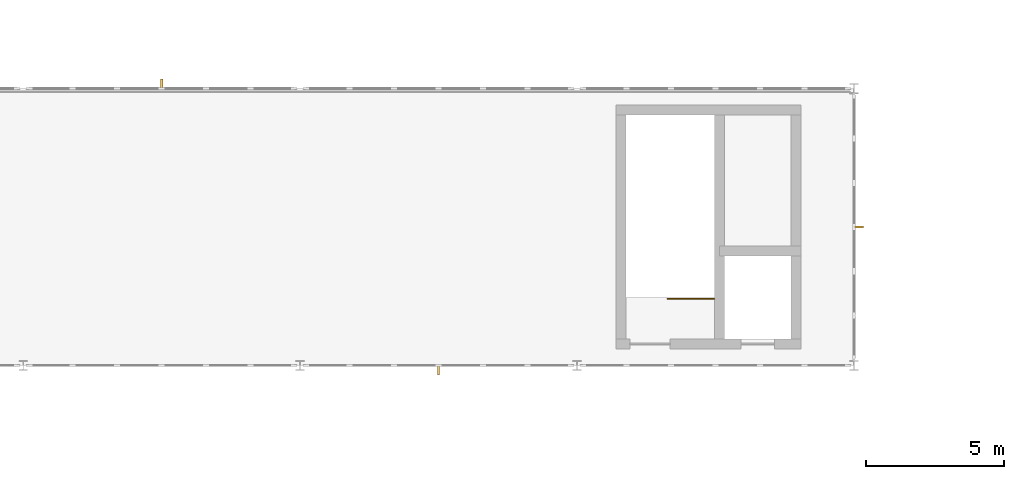
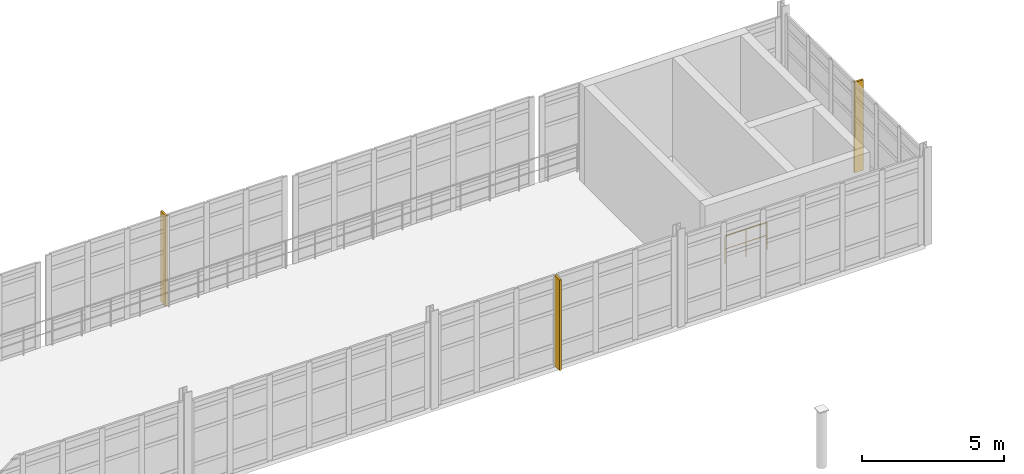
# One storey, part 117 of 122: 3 shading devices, 1 railing.
"""IFC4 building model written with IfcOpenShell, lengths in metres."""

import ifcopenshell
import ifcopenshell.guid

model = None  # the IFC model being written
_history = None  # IfcOwnerHistory: only IFC2X3 demands one
_inside = {}  # id of a spatial element -> (the spatial element, [elements in it])
_under = {}  # id of a project, library or spatial element -> (it, [spatial elements below it])
_declared = {}  # id of a project -> (the project, [libraries it declares])
_typed = {}  # id of a type object -> (the type object, [elements of that type])
_made_of = {}  # id of a material, layer set ... -> (it, [elements and type objects made of it])


def new_model(schema):
    """Start an empty IFC model of exactly this schema.

    Asked for "IFC4X3", IfcOpenShell would pick the latest addendum, in which some entities
    have other attributes; the version numbers below select the first issue.
    IFC2X3 requires an IfcOwnerHistory on every rooted entity: one is made here for all.
    """
    global model, _history
    if schema == "IFC4X3":
        model = ifcopenshell.file(schema_version=(4, 3, 0, 0))
    else:
        model = ifcopenshell.file(schema=schema)
    _inside.clear()
    _under.clear()
    _declared.clear()
    _typed.clear()
    _made_of.clear()
    _history = None
    if model.schema == "IFC2X3":
        org = make("IfcOrganization", Name="unknown")
        user = make(
            "IfcPersonAndOrganization",
            ThePerson=make("IfcPerson", FamilyName="unknown"),
            TheOrganization=org,
        )
        app = make(
            "IfcApplication",
            ApplicationDeveloper=org,
            Version="unknown",
            ApplicationFullName="unknown",
            ApplicationIdentifier="unknown",
        )
        _history = make(
            "IfcOwnerHistory",
            OwningUser=user,
            OwningApplication=app,
            ChangeAction="ADDED",
            CreationDate=0,
        )
    return model


def make(cls, **values):
    """One entity of the class cls with the attributes given. An attribute that is None is left unset."""
    return model.create_entity(
        cls, **{name: value for name, value in values.items() if value is not None}
    )


def rooted(cls, **values):
    """An entity with a GlobalId (a new one), such as an element, a storey or a relation."""
    return make(cls, GlobalId=ifcopenshell.guid.new(), OwnerHistory=_history, **values)


def si_unit(unit_type, name, prefix=None):
    """IfcSIUnit, for example si_unit("LENGTHUNIT", "METRE", prefix="MILLI")."""
    return make("IfcSIUnit", UnitType=unit_type, Prefix=prefix, Name=name)


def assignment(units):
    """IfcUnitAssignment: the units of a project."""
    return None if units is None else make("IfcUnitAssignment", Units=units)


def point(xyz):
    """IfcCartesianPoint."""
    return None if xyz is None else make("IfcCartesianPoint", Coordinates=xyz)


def direction(xyz):
    """IfcDirection."""
    return None if xyz is None else make("IfcDirection", DirectionRatios=xyz)


def frame(location, z_axis=None, x_axis=None):
    """IfcAxis2Placement3D, a coordinate frame: its origin and axes. An axis left out is left unset."""
    return make(
        "IfcAxis2Placement3D",
        Location=point(location),
        Axis=direction(z_axis),
        RefDirection=direction(x_axis),
    )


def frame_2d(location, x_axis=None):
    """IfcAxis2Placement2D, a coordinate frame in the plane: its origin and x axis."""
    return make(
        "IfcAxis2Placement2D", Location=point(location), RefDirection=direction(x_axis)
    )


def origin():
    """The frame at (0, 0, 0) with its axes left unset."""
    return frame((0.0, 0.0, 0.0))


def origin_2d():
    """The frame at (0, 0) in the plane with its x axis left unset."""
    return frame_2d((0.0, 0.0))


def place(relative_to, where):
    """IfcLocalPlacement: puts the frame where relative to a parent placement (None: the world)."""
    return make(
        "IfcLocalPlacement", PlacementRelTo=relative_to, RelativePlacement=where
    )


def context(
    kind, dimensions, precision=None, world=None, true_north=None, identifier=None
):
    """IfcGeometricRepresentationContext, for example the 3D "Model" context."""
    return make(
        "IfcGeometricRepresentationContext",
        ContextIdentifier=identifier,
        ContextType=kind,
        CoordinateSpaceDimension=dimensions,
        Precision=precision,
        WorldCoordinateSystem=world,
        TrueNorth=true_north,
    )


def subcontext(parent, identifier, kind, view, scale=None):
    """IfcGeometricRepresentationSubContext, for example "Body" below "Model"."""
    return make(
        "IfcGeometricRepresentationSubContext",
        ContextIdentifier=identifier,
        ContextType=kind,
        ParentContext=parent,
        TargetScale=scale,
        TargetView=view,
    )


def project(units=None, contexts=None):
    """IfcProject with its units and contexts."""
    return rooted(
        "IfcProject",
        Name="project",
        RepresentationContexts=contexts,
        UnitsInContext=assignment(units),
    )


def spatial(cls, under=None, at=None, **own):
    """A site, building, storey or space (cls), placed at a placement, below another one or the project."""
    s = rooted(cls, ObjectPlacement=at, **own)
    if under is not None:
        _under.setdefault(under.id(), (under, []))[1].append(s)
    return s


def profile(cls, at=None, kind="AREA", **sizes):
    """A parametric profile (cls). Its sizes go by their IFC names, for example OverallWidth=200.0."""
    return make(cls, ProfileType=kind, Position=at, **sizes)


def rectangle(**sizes):
    """IfcRectangleProfileDef."""
    return profile("IfcRectangleProfileDef", **sizes)


def circle(**sizes):
    """IfcCircleProfileDef."""
    return profile("IfcCircleProfileDef", **sizes)


def extrude(swept, where, along, depth):
    """IfcExtrudedAreaSolid: the profile swept, set in the frame where, extruded along a direction by depth."""
    return make(
        "IfcExtrudedAreaSolid",
        SweptArea=swept,
        Position=where,
        ExtrudedDirection=direction(along),
        Depth=depth,
    )


def shape(context_of_items, identifier, shape_type, items):
    """IfcShapeRepresentation: the items that make up one representation, for example the "Body"."""
    return make(
        "IfcShapeRepresentation",
        ContextOfItems=context_of_items,
        RepresentationIdentifier=identifier,
        RepresentationType=shape_type,
        Items=items,
    )


def material(Name=None, Category=None):
    """IfcMaterial."""
    return make("IfcMaterial", Name=Name, Category=Category)


def made_of(thing, what):
    """Note that an element or type object is made of a material, layer set ...; save() writes the relation."""
    if what is not None:
        _made_of.setdefault(what.id(), (what, []))[1].append(thing)
    return thing


def type_object(cls, material=None, **own):
    """A type object (cls), such as IfcWallType, which elements share."""
    return made_of(rooted(cls, **own), material)


def element(
    cls,
    number,
    at=None,
    inside=None,
    cuts=None,
    type_object=None,
    material=None,
    context=None,
    identifier="Body",
    shape_type=None,
    held_by="IfcProductDefinitionShape",
    body=None,
    shapes=None,
    **own,
):
    """One element of the class cls, such as IfcWall. Its Tag is "e" and its number.

    at: its placement. inside: the storey or other place that contains it. cuts: it is an
    opening in that element (IfcRelVoidsElement). A single representation is given by context,
    identifier, shape_type and body (its items); several are given by shapes. held_by: the class
    of the entity that holds the representations. save() writes the other relations.
    """
    e = rooted(cls, Tag="e%d" % number, ObjectPlacement=at, **own)
    if body is not None:
        shapes = [shape(context, identifier, shape_type, body)]
    if shapes is not None:
        e.Representation = make(held_by, Representations=shapes)
    if inside is not None:
        _inside.setdefault(inside.id(), (inside, []))[1].append(e)
    if cuts is not None:
        rooted(
            "IfcRelVoidsElement", RelatingBuildingElement=cuts, RelatedOpeningElement=e
        )
    if type_object is not None:
        _typed.setdefault(type_object.id(), (type_object, []))[1].append(e)
    return made_of(e, material)


def aggregate(whole, parts):
    """IfcRelAggregates: a whole, such as a stair, and the parts it consists of."""
    return rooted("IfcRelAggregates", RelatingObject=whole, RelatedObjects=parts)


def save(model, path):
    """Write the relations noted so far, then the file.

    IfcRelAggregates (storeys below a building ...), IfcRelContainedInSpatialStructure (elements
    in a storey), IfcRelDefinesByType, IfcRelAssociatesMaterial and IfcRelDeclares: one each for
    every whole, place, type object, material and project.
    """
    for whole, parts in _under.values():
        aggregate(whole, parts)
    for where, things in _inside.values():
        rooted(
            "IfcRelContainedInSpatialStructure",
            RelatedElements=things,
            RelatingStructure=where,
        )
    for kind, things in _typed.values():
        rooted("IfcRelDefinesByType", RelatedObjects=things, RelatingType=kind)
    for what, things in _made_of.values():
        rooted("IfcRelAssociatesMaterial", RelatedObjects=things, RelatingMaterial=what)
    for by, libraries in _declared.values():
        rooted("IfcRelDeclares", RelatingContext=by, RelatedDefinitions=libraries)
    model.write(path)


model = new_model("IFC4")

# Units and contexts
model_context = context("Model", 3, precision=1e-05, world=origin(), true_north=direction((0.0, 1.0)))
body_context = subcontext(model_context, "Body", "Model", "MODEL_VIEW")
ifc_project = project(units=[si_unit("LENGTHUNIT", "METRE"), si_unit("AREAUNIT", "SQUARE_METRE"), si_unit("VOLUMEUNIT", "CUBIC_METRE"), si_unit("PLANEANGLEUNIT", "RADIAN"), si_unit("MASSUNIT", "GRAM", prefix="KILO"), si_unit("THERMODYNAMICTEMPERATUREUNIT", "KELVIN"), si_unit("POWERUNIT", "WATT")], contexts=[model_context])

# Site, building, storey
site_placement = place(None, origin())
site = spatial("IfcSite", under=ifc_project, at=site_placement, CompositionType="ELEMENT")
building_placement = place(site_placement, origin())
building = spatial("IfcBuilding", under=site, at=building_placement, Name="Korenveer Ferry Terminal", CompositionType="ELEMENT")
storey_placement = place(building_placement, frame((0.0, 0.0, 10.199951171875)))
storey = spatial("IfcBuildingStorey", under=building, at=storey_placement, Name="L02", CompositionType="ELEMENT", Elevation=10.199951171875)

# Shading devices
ifc_material_1 = material(Name="Anodised bronze aluminium solar fin", Category="aluminium")
shading_device_type = type_object("IfcShadingDeviceType", Name="ENV-SHD-FIN", PredefinedType="JALOUSIE", material=ifc_material_1)
for number, where, z_axis, x_axis, name in (
    (1, (108.0, 49.840087890625, -0.019775390625), (0.0, 0.0, 1.0), (0.0, 1.0, 0.0), "Gothic solar fin 42"),
    (2, (98.0, 60.159912109375, -0.019775390625), (0.0, 0.0, 1.0), (0.0, 1.0, 0.0), "Gothic solar fin 44"),
    (3, (123.159912109375, 55.0, -0.019775390625), (0.0, 0.0, 1.0), (1.0, 0.0, 0.0), "Gothic solar fin 55"),
):
    element("IfcShadingDevice", number, at=place(storey_placement, frame(where, z_axis=z_axis, x_axis=x_axis)), inside=storey, type_object=shading_device_type, Name=name, PredefinedType="JALOUSIE", context=body_context, shape_type="SweptSolid", body=[
        extrude(rectangle(XDim=0.360107421875, YDim=0.080078125, at=origin_2d()), origin(), (0.0, 0.0, 1.0), 3.8798828125),
    ])

# Railing
ifc_material_2 = material(Name="Painted steel stair guard", Category="steel")
railing_type = type_object("IfcRailingType", Name="INT-RL-STGRD", PredefinedType="GUARDRAIL", material=ifc_material_2)
railing_placement = place(storey_placement, frame((117.9599609375, 52.409912109375, 0.0)))
element("IfcRailing", 4, at=railing_placement, inside=storey, type_object=railing_type, Name="L02 ST06 top well guard 1", PredefinedType="GUARDRAIL", context=body_context, shape_type="SweptSolid", body=[
    extrude(circle(Radius=0.02392578125, at=origin_2d()), frame((0.0, 0.0, 1.17578125), z_axis=(-1.0, 0.0, 0.0), x_axis=(0.0, -1.0, 0.0)), (0.0, 0.0, 1.0), 1.699951171875),
    extrude(circle(Radius=0.01806640625, at=origin_2d()), frame((0.0, 0.0, 0.6240234375), z_axis=(-1.0, 0.0, 0.0), x_axis=(0.0, -1.0, 0.0)), (0.0, 0.0, 1.0), 1.699951171875),
    extrude(circle(Radius=0.02099609375, at=origin_2d()), origin(), (0.0, 0.0, 1.0), 1.15185546875),
    extrude(circle(Radius=0.02099609375, at=origin_2d()), frame((-0.85009765625, 0.0, 0.0)), (0.0, 0.0, 1.0), 1.15185546875),
    extrude(circle(Radius=0.02099609375, at=origin_2d()), frame((-1.699951171875, 0.0, 0.0)), (0.0, 0.0, 1.0), 1.15185546875),
])

save(model, "model.ifc")
